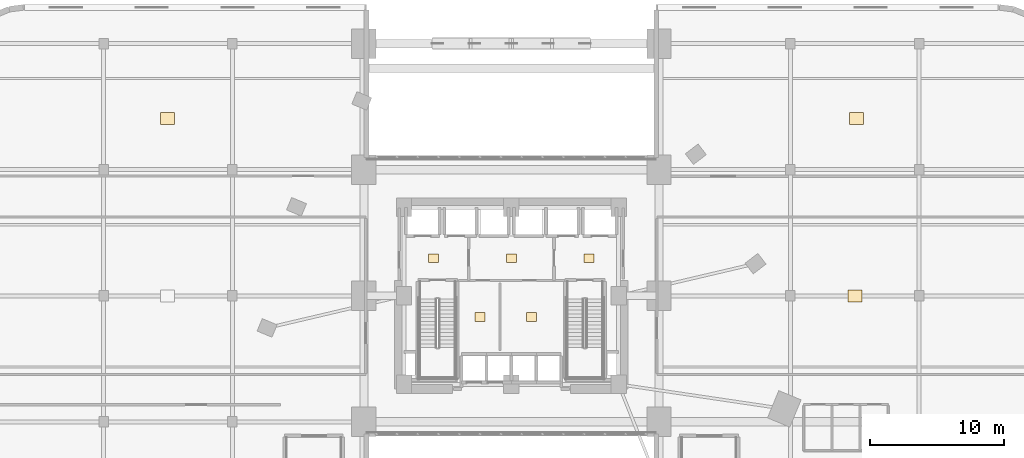
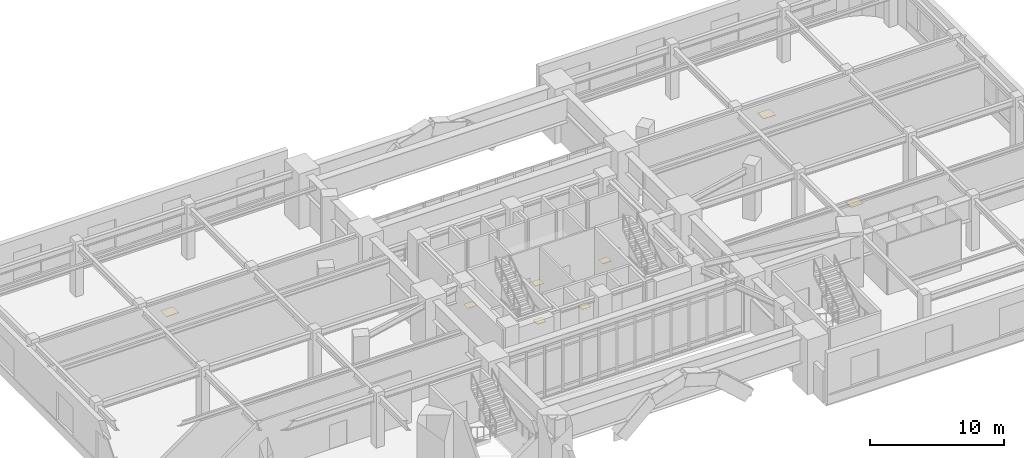
# One storey, part 25 of 25: 8 coverings.
"""IFC4 building model written with IfcOpenShell, lengths in metres."""

from ifc_helpers import new_model, si_unit, direction, frame, origin, origin_2d, place, context, subcontext, project, spatial, rectangle, extrude, material, layer, layer_set, type_object, element, save


model = new_model("IFC4")

# Units and contexts
model_context = context("Model", 3, precision=1e-05, world=origin(), true_north=direction((0.0, 1.0)))
body_context = subcontext(model_context, "Body", "Model", "MODEL_VIEW")
ifc_project = project(units=[si_unit("LENGTHUNIT", "METRE"), si_unit("AREAUNIT", "SQUARE_METRE"), si_unit("VOLUMEUNIT", "CUBIC_METRE"), si_unit("PLANEANGLEUNIT", "RADIAN"), si_unit("MASSUNIT", "GRAM", prefix="KILO")], contexts=[model_context])

# Site, building, storey
site_placement = place(None, origin())
site = spatial("IfcSite", under=ifc_project, at=site_placement, CompositionType="ELEMENT")
building_placement = place(site_placement, origin())
building = spatial("IfcBuilding", under=site, at=building_placement, Name="Ndelora Gate Hotel", CompositionType="ELEMENT")
storey_placement = place(building_placement, frame((0.0, 0.0, 11.0)))
storey = spatial("IfcBuildingStorey", under=building, at=storey_placement, Name="L02", CompositionType="ELEMENT", Elevation=11.0)

# Coverings
ifc_material_1 = material(Name="Engineered Highland Oak Parquet", Category="wood")
ifc_layer_1 = layer(ifc_material_1, 0.030029296875)
ifc_layer_set_1 = layer_set([ifc_layer_1], Name="Engineered Highland Oak Parquet")
covering_type_1 = type_object("IfcCoveringType", Name="COV-FLR-PARQ", PredefinedType="FLOORING", material=ifc_layer_set_1)
for number, where, z_axis, x_axis, name in (
    (1, (-25.625, 13.228759765625, 0.0), (0.0, 0.0, 1.0), (1.0, 0.0, 0.0), "L02 Executive Diplomatic Boardroom Oak Parquet Flooring"),
    (2, (25.625, 0.0, 0.0), (0.0, 0.0, 1.0), (1.0, 0.0, 0.0), "L02 Specialty Fine Dining Restaurant Oak Parquet Flooring"),
    (3, (25.72509765625, 13.228759765625, 0.0), (0.0, 0.0, 1.0), (1.0, 0.0, 0.0), "L02 Specialty Finishing Kitchen Oak Parquet Flooring"),
):
    element("IfcCovering", number, at=place(storey_placement, frame(where, z_axis=z_axis, x_axis=x_axis)), inside=storey, type_object=covering_type_1, Name=name, PredefinedType="FLOORING", context=body_context, shape_type="SweptSolid", body=[
        extrude(rectangle(XDim=1.050048828125, YDim=0.89990234375, at=origin_2d()), origin(), (0.0, 0.0, 1.0), 0.030029296875),
    ])
ifc_material_2 = material(Name="Non-Slip Porcelain Wet-Room Tile", Category="ceramic")
ifc_layer_2 = layer(ifc_material_2, 0.02490234375)
ifc_layer_set_2 = layer_set([ifc_layer_2], Name="Non-Slip Porcelain Wet-Room Tile")
covering_type_2 = type_object("IfcCoveringType", Name="COV-FLR-TILE", PredefinedType="FLOORING", material=ifc_layer_set_2)
for number, where, z_axis, x_axis, name in (
    (4, (-5.800048828125, 2.800048828125, 0.0), (0.0, 0.0, 1.0), (1.0, 0.0, 0.0), "L02 Firefighting Lift Lobby West Porcelain Tile Flooring"),
    (5, (5.800048828125, 2.800048828125, 0.0), (0.0, 0.0, 1.0), (1.0, 0.0, 0.0), "L02 Firefighting Lift Lobby East Porcelain Tile Flooring"),
    (6, (0.0, 2.800048828125, 0.0), (0.0, 0.0, 1.0), (1.0, 0.0, 0.0), "L02 Central Passenger Lift Lobby Porcelain Tile Flooring"),
    (7, (-2.35009765625, -1.574951171875, 0.0), (0.0, 0.0, 1.0), (1.0, 0.0, 0.0), "L02 Core Electrical Switchroom Porcelain Tile Flooring"),
    (8, (1.5, -1.574951171875, 0.0), (0.0, 0.0, 1.0), (1.0, 0.0, 0.0), "L02 Central Linen Equipment Store Porcelain Tile Flooring"),
):
    element("IfcCovering", number, at=place(storey_placement, frame(where, z_axis=z_axis, x_axis=x_axis)), inside=storey, type_object=covering_type_2, Name=name, PredefinedType="FLOORING", context=body_context, shape_type="SweptSolid", body=[
        extrude(rectangle(XDim=0.75, YDim=0.64990234375, at=origin_2d()), origin(), (0.0, 0.0, 1.0), 0.02490234375),
    ])

save(model, "model.ifc")
